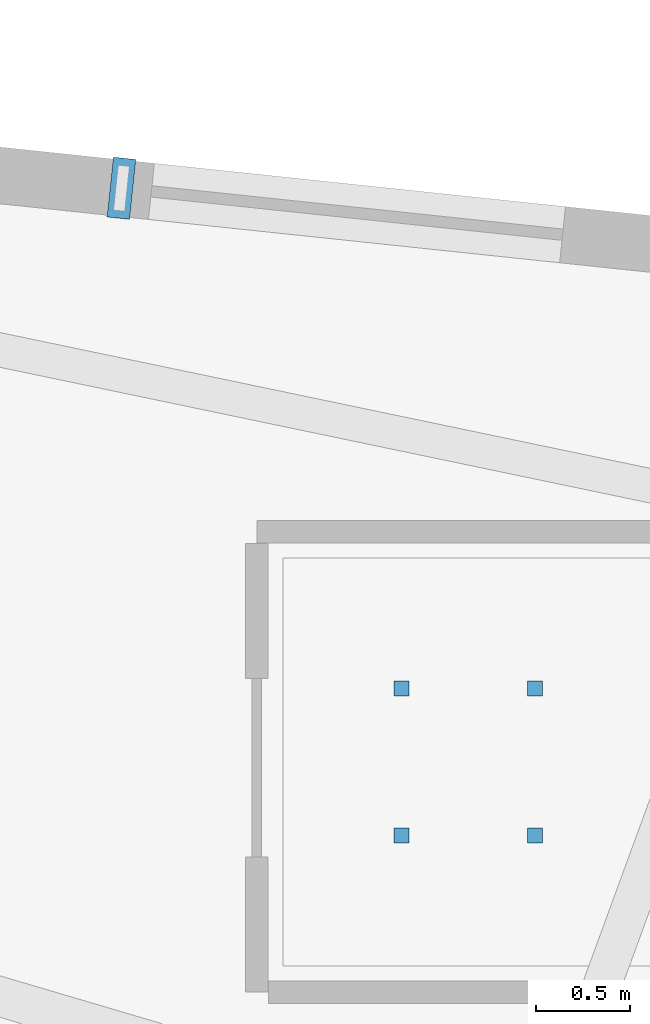
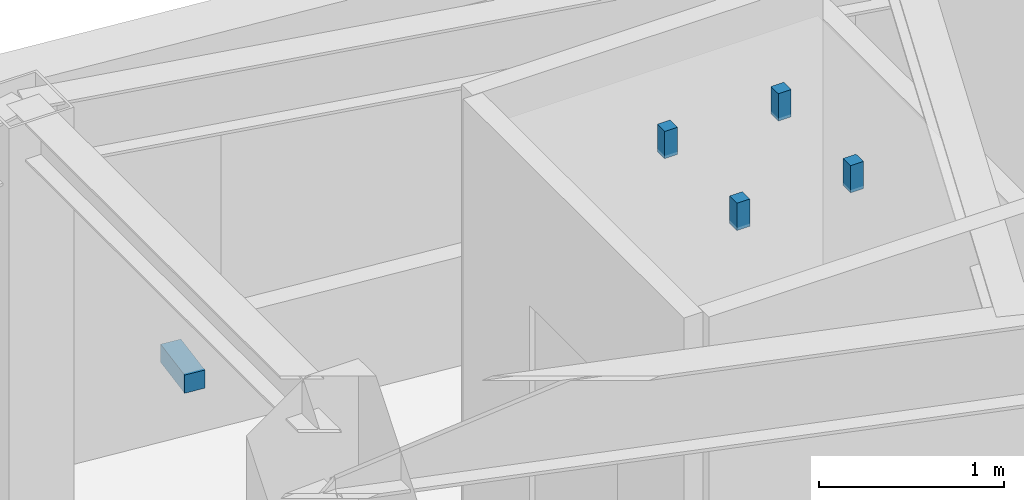
# One storey, part 8 of 11: 5 discrete accessories.
"""IFC4 building model written with IfcOpenShell, lengths in metres."""

from ifc_helpers import new_model, si_unit, direction, frame, origin, origin_2d, place, context, subcontext, project, spatial, rectangle, extrude, material, type_object, element, save


model = new_model("IFC4")

# Units and contexts
model_context = context("Model", 3, precision=1e-05, world=origin(), true_north=direction((0.0, 1.0)))
body_context = subcontext(model_context, "Body", "Model", "MODEL_VIEW")
ifc_project = project(units=[si_unit("LENGTHUNIT", "METRE"), si_unit("AREAUNIT", "SQUARE_METRE"), si_unit("VOLUMEUNIT", "CUBIC_METRE"), si_unit("PLANEANGLEUNIT", "RADIAN"), si_unit("MASSUNIT", "GRAM", prefix="KILO")], contexts=[model_context])

# Site, building, storey
site_placement = place(None, origin())
site = spatial("IfcSite", under=ifc_project, at=site_placement, CompositionType="ELEMENT")
building_placement = place(site_placement, origin())
building = spatial("IfcBuilding", under=site, at=building_placement, Name="Kolvaren Gate Tower and Convention Centre", CompositionType="ELEMENT")
storey_placement = place(building_placement, frame((0.0, 0.0, 269.0)))
storey = spatial("IfcBuildingStorey", under=building, at=storey_placement, Name="L73", CompositionType="ELEMENT", Elevation=269.0)

# Discrete accessories
ifc_material_1 = material(Name="Anodized Architectural Aluminium Alloy 6063-T6", Category="aluminium")
discrete_accessory_type_1 = type_object("IfcDiscreteAccessoryType", Name="ARCH-ACC-BRACKET-120", PredefinedType="BRACKET", material=ifc_material_1)
discrete_accessory_placement = place(storey_placement, frame((31.529296875, 43.277099609375, 0.2900390625), z_axis=(0.0, 0.0, 1.0), x_axis=(0.994498701491, -0.104748903254, 0.0)))
element("IfcDiscreteAccessory", 1, at=discrete_accessory_placement, inside=storey, type_object=discrete_accessory_type_1, Name="Ceramic Fin Wall Anchor Bracket FBK-L73-05", PredefinedType="BRACKET", context=body_context, shape_type="SweptSolid", body=[
    extrude(rectangle(XDim=0.1201171875, YDim=0.320068359375, at=origin_2d()), origin(), (0.0, 0.0, 1.0), 0.1201171875),
])
ifc_material_2 = material(Name="Brushed Stainless Steel Grade 316L", Category="steel")
discrete_accessory_type_2 = type_object("IfcDiscreteAccessoryType", Name="ARCH-ACC-HANGER-80", PredefinedType="BRACKET", material=ifc_material_2)
for number, where, z_axis, x_axis, name in (
    (2, (33.02001953125, 39.833984375, 2.85009765625), (0.0, 0.0, 1.0), (1.0, 0.0, 0.0), "Apartment Fitted Kitchen (APT-L73-01) Ceiling Suspension Hanger Clip 1"),
    (3, (33.72998046875, 39.833984375, 2.85009765625), (0.0, 0.0, 1.0), (1.0, 0.0, 0.0), "Apartment Fitted Kitchen (APT-L73-01) Ceiling Suspension Hanger Clip 2"),
    (4, (33.02001953125, 40.615966796875, 2.85009765625), (0.0, 0.0, 1.0), (1.0, 0.0, 0.0), "Apartment Fitted Kitchen (APT-L73-01) Ceiling Suspension Hanger Clip 3"),
    (5, (33.72998046875, 40.615966796875, 2.85009765625), (0.0, 0.0, 1.0), (1.0, 0.0, 0.0), "Apartment Fitted Kitchen (APT-L73-01) Ceiling Suspension Hanger Clip 4"),
):
    element("IfcDiscreteAccessory", number, at=place(storey_placement, frame(where, z_axis=z_axis, x_axis=x_axis)), inside=storey, type_object=discrete_accessory_type_2, Name=name, PredefinedType="BRACKET", context=body_context, shape_type="SweptSolid", body=[
        extrude(rectangle(XDim=0.080078125, YDim=0.080078125, at=origin_2d()), origin(), (0.0, 0.0, 1.0), 0.179931640625),
    ])

save(model, "model.ifc")
